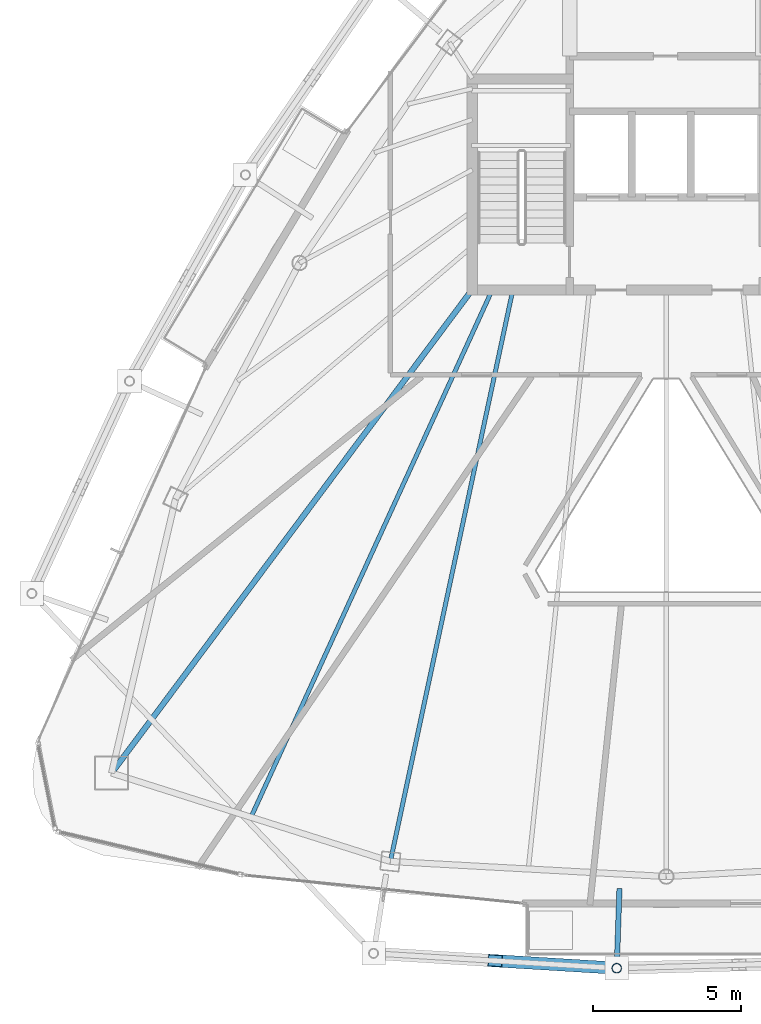
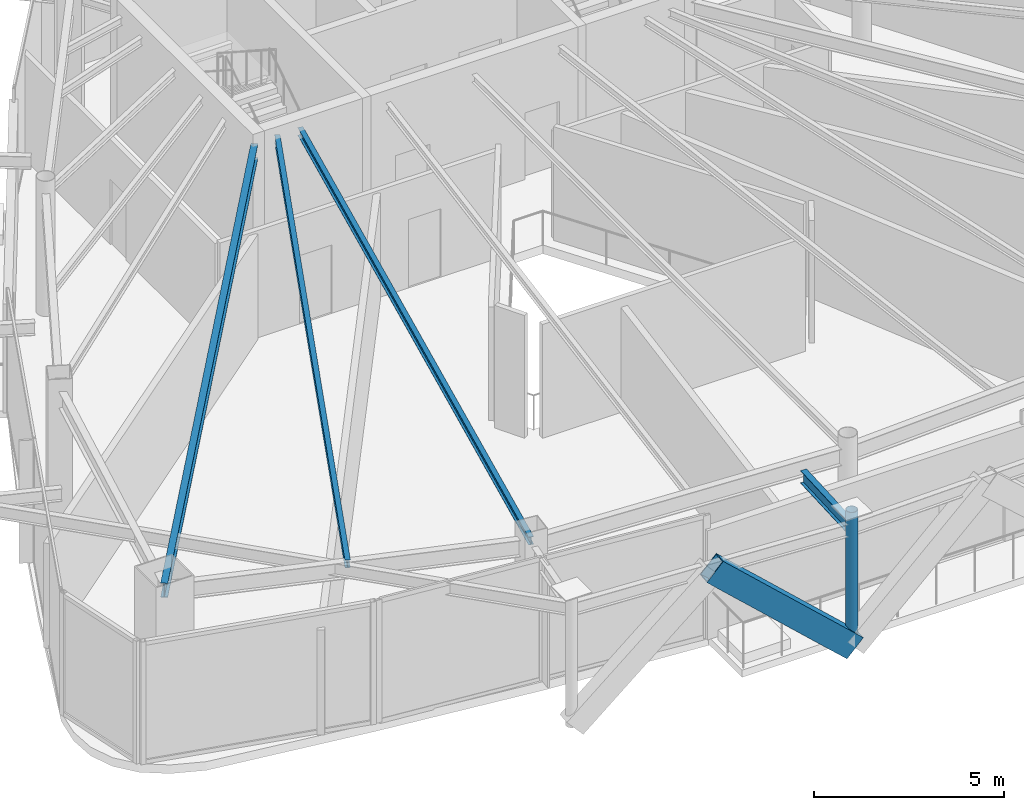
# One storey, part 5 of 22: 4 beams, 2 members.
"""IFC4 building model written with IfcOpenShell, lengths in metres."""

from ifc_helpers import new_model, si_unit, direction, frame, origin, origin_2d, place, context, subcontext, project, spatial, hollow_rectangle, hollow_circle, i_section, extrude, material, material_profile, profile_set, type_object, element, save


model = new_model("IFC4")

# Units and contexts
model_context = context("Model", 3, precision=1e-05, world=origin(), true_north=direction((0.0, 1.0)))
body_context = subcontext(model_context, "Body", "Model", "MODEL_VIEW")
ifc_project = project(units=[si_unit("LENGTHUNIT", "METRE"), si_unit("AREAUNIT", "SQUARE_METRE"), si_unit("VOLUMEUNIT", "CUBIC_METRE"), si_unit("PLANEANGLEUNIT", "RADIAN"), si_unit("MASSUNIT", "GRAM", prefix="KILO")], contexts=[model_context])

# Site, building, storey
site_placement = place(None, origin())
site = spatial("IfcSite", under=ifc_project, at=site_placement, CompositionType="ELEMENT")
building_placement = place(site_placement, origin())
building = spatial("IfcBuilding", under=site, at=building_placement, Name="Orvanel Arch Residences", CompositionType="ELEMENT")
storey_placement = place(building_placement, frame((0.0, 0.0, 276.64990234375)))
storey = spatial("IfcBuildingStorey", under=building, at=storey_placement, Name="L79", CompositionType="ELEMENT", Elevation=276.64990234375)

# Beams
ifc_material_1 = material(Name="Structural steel AS/NZS 3679.1 Grade 300 (300 MPa)", Category="steel")
ifc_material_profile_1 = material_profile(ifc_material_1, i_section(OverallWidth=0.19091796875, OverallDepth=0.4599609375, WebThickness=0.010009765625, FlangeThickness=0.01611328125, at=origin_2d()), Name="460UB82.1")
ifc_profile_set_1 = profile_set([ifc_material_profile_1], Name="Structural steel AS/NZS 3679.1 Grade 300 (300 MPa)")
beam_type_1 = type_object("IfcBeamType", Name="BG-460UB", PredefinedType="BEAM", material=ifc_profile_set_1)
beam_1_placement = place(storey_placement, frame((26.375, 26.675048828125, 3.72021484375), z_axis=(-0.597893733742, -0.801575375839, 0.0), x_axis=(0.801575375839, -0.597893733742, 0.0)))
element("IfcBeam", 1, at=beam_1_placement, inside=storey, type_object=beam_type_1, Name="L79 South-West Radial Girder", PredefinedType="BEAM", context=body_context, shape_type="SweptSolid", body=[
    extrude(i_section(OverallWidth=0.19091796875, OverallDepth=0.4599609375, WebThickness=0.010009765625, FlangeThickness=0.01611328125, at=origin_2d()), origin(), (0.0, 0.0, 1.0), 20.36474609375),
])
ifc_material_profile_2 = material_profile(ifc_material_1, i_section(OverallWidth=0.14599609375, OverallDepth=0.251953125, WebThickness=0.006103515625, FlangeThickness=0.008544921875, at=origin_2d()), Name="250UB31.4")
ifc_profile_set_2 = profile_set([ifc_material_profile_2], Name="Structural steel AS/NZS 3679.1 Grade 300 (300 MPa)")
beam_type_2 = type_object("IfcBeamType", Name="BJ-250UB", PredefinedType="JOIST", material=ifc_profile_set_2)
beam_2_placement = place(storey_placement, frame((27.800048828125, 26.72509765625, 3.82421875), z_axis=(-0.209547604985, -0.977798446125, 0.0), x_axis=(0.977798446125, -0.209547604985, 0.0)))
element("IfcBeam", 2, at=beam_2_placement, inside=storey, type_object=beam_type_2, Name="L79 SW Wing Floor Joist", PredefinedType="JOIST", context=body_context, shape_type="SweptSolid", body=[
    extrude(i_section(OverallWidth=0.14599609375, OverallDepth=0.251953125, WebThickness=0.006103515625, FlangeThickness=0.008544921875, at=origin_2d()), origin(), (0.0, 0.0, 1.0), 19.809814453125),
])
beam_3_placement = place(storey_placement, frame((27.10009765625, 26.72509765625, 3.82421875), z_axis=(-0.416009574066, -0.909360233508, 0.0), x_axis=(0.909360233508, -0.416009574066, 0.0)))
element("IfcBeam", 3, at=beam_3_placement, inside=storey, type_object=beam_type_2, Name="L79 JADD1 Wing Floor Joist", PredefinedType="JOIST", context=body_context, shape_type="SweptSolid", body=[
    extrude(i_section(OverallWidth=0.14599609375, OverallDepth=0.251953125, WebThickness=0.006103515625, FlangeThickness=0.008544921875, at=origin_2d()), origin(), (0.0, 0.0, 1.0), 19.653564453125),
])

# Member
ifc_material_2 = material(Name="Structural steel AS/NZS 3678 Grade 350", Category="steel")
ifc_material_profile_3 = material_profile(ifc_material_2, hollow_rectangle(XDim=0.419921875, YDim=0.719970703125, WallThickness=0.02490234375, at=origin_2d()), Name="RHS720x420x25")
ifc_profile_set_3 = profile_set([ifc_material_profile_3], Name="Structural steel AS/NZS 3678 Grade 350")
member_type_1 = type_object("IfcMemberType", Name="BR-720RHS-EXT", PredefinedType="BRACE", material=ifc_profile_set_3)
member_1_placement = place(storey_placement, frame((31.322021484375, 3.737060546875, 0.0), z_axis=(-0.739208178477, 0.045182589445, 0.671959673257), x_axis=(-0.061009097414, -0.998137210023, 0.0)))
element("IfcMember", 4, at=member_1_placement, inside=storey, type_object=member_type_1, Name="L79 Exterior Sky-Garden V-Frame Chevron F2B1.2", PredefinedType="BRACE", context=body_context, shape_type="SweptSolid", body=[
    extrude(hollow_rectangle(XDim=0.419921875, YDim=0.719970703125, WallThickness=0.02490234375, at=origin_2d()), origin(), (0.0, 0.0, 1.0), 5.576416015625),
])

# Beam
ifc_material_profile_4 = material_profile(ifc_material_1, i_section(OverallWidth=0.177978515625, OverallDepth=0.406005859375, WebThickness=0.0078125, FlangeThickness=0.0126953125, at=origin_2d()), Name="410UB59.7")
ifc_profile_set_4 = profile_set([ifc_material_profile_4], Name="Structural steel AS/NZS 3679.1 Grade 300 (300 MPa)")
beam_type_3 = type_object("IfcBeamType", Name="OB-410UB-EXT", PredefinedType="SPANDREL", material=ifc_profile_set_4)
beam_4_placement = place(storey_placement, frame((31.4140625, 6.43896484375, 3.7470703125), z_axis=(-0.034045490843, -0.999420284241, 0.0), x_axis=(0.999420284241, -0.034045490843, 0.0)))
element("IfcBeam", 5, at=beam_4_placement, inside=storey, type_object=beam_type_3, Name="L79 Outer Frame Radial Tie Beam 06", PredefinedType="SPANDREL", context=body_context, shape_type="SweptSolid", body=[
    extrude(i_section(OverallWidth=0.177978515625, OverallDepth=0.406005859375, WebThickness=0.0078125, FlangeThickness=0.0126953125, at=origin_2d()), origin(), (0.0, 0.0, 1.0), 2.703369140625),
])

# Member
ifc_material_3 = material(Name="Structural steel AS/NZS 1163 C350L0 (Grade 350)", Category="steel")
ifc_material_profile_5 = material_profile(ifc_material_3, hollow_circle(Radius=0.162109375, WallThickness=0.0126953125, at=origin_2d()), Name="CHS324x12.7")
ifc_profile_set_5 = profile_set([ifc_material_profile_5], Name="Structural steel AS/NZS 1163 C350L0 (Grade 350)")
member_type_2 = type_object("IfcMemberType", Name="ST-324CHS-EXT", PredefinedType="STRUT", material=ifc_profile_set_5)
member_2_placement = place(storey_placement, frame((31.322021484375, 3.737060546875, 0.0), z_axis=(0.0, 0.0, 1.0), x_axis=(1.0, 0.0, 0.0)))
element("IfcMember", 6, at=member_2_placement, inside=storey, type_object=member_type_2, Name="L79 Outer Perimeter Frame Post 06", PredefinedType="STRUT", context=body_context, shape_type="SweptSolid", body=[
    extrude(hollow_circle(Radius=0.162109375, WallThickness=0.0126953125, at=origin_2d()), origin(), (0.0, 0.0, 1.0), 4.35009765625),
])

save(model, "model.ifc")
